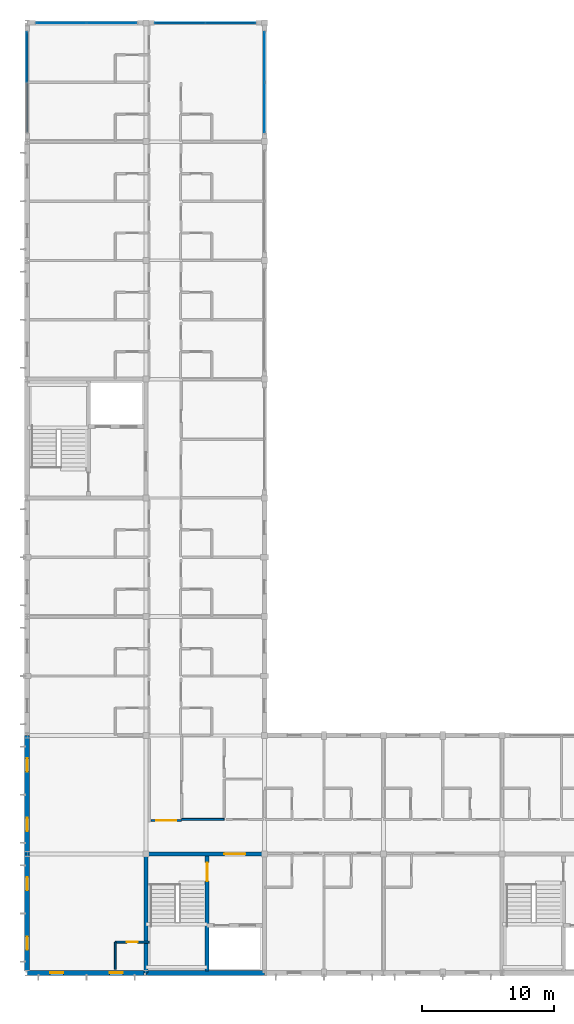
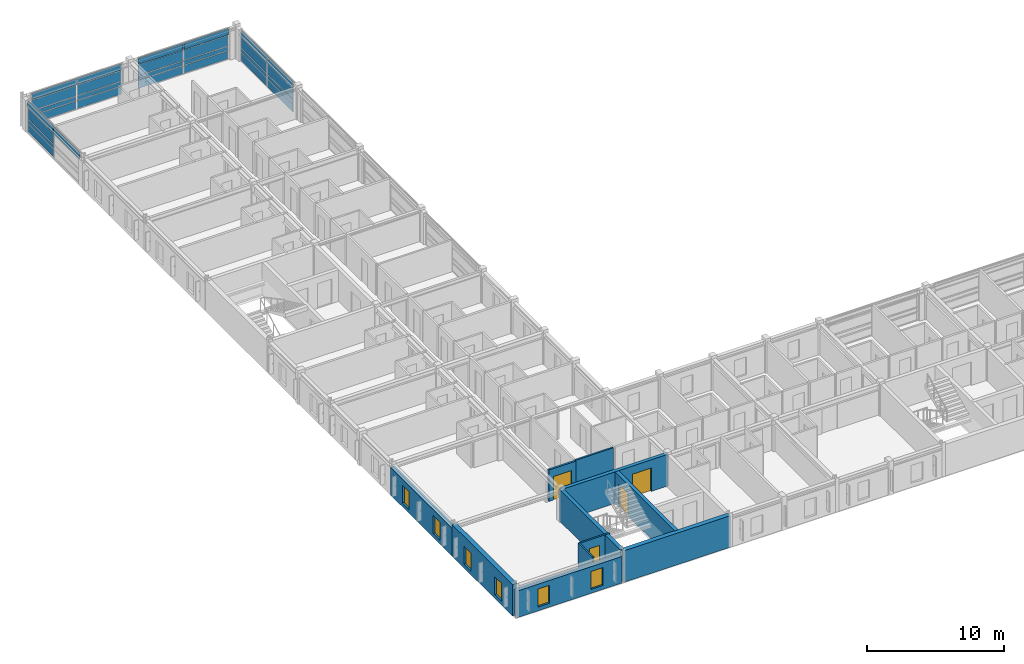
# One storey, part 9 of 24: 29 plates, 11 walls, 6 windows, 4 doors, 10 openings, 4 elements without a shape of their own.
"""IFC4 building model written with IfcOpenShell, lengths in metres."""

from ifc_helpers import new_model, si_unit, direction, frame, frame_2d, origin, origin_2d, place, context, subcontext, project, spatial, rectangle, extrude, material, layer, layer_set, type_object, element, fill, aggregate, save


model = new_model("IFC4")

# Units and contexts
model_context = context("Model", 3, precision=1e-05, world=origin(), true_north=direction((0.0, 1.0)))
body_context = subcontext(model_context, "Body", "Model", "MODEL_VIEW")
ifc_project = project(units=[si_unit("LENGTHUNIT", "METRE"), si_unit("AREAUNIT", "SQUARE_METRE"), si_unit("VOLUMEUNIT", "CUBIC_METRE"), si_unit("PLANEANGLEUNIT", "RADIAN"), si_unit("MASSUNIT", "GRAM", prefix="KILO")], contexts=[model_context])

# Site, building, storey
site_placement = place(None, origin())
site = spatial("IfcSite", under=ifc_project, at=site_placement, CompositionType="ELEMENT")
building_placement = place(site_placement, origin())
building = spatial("IfcBuilding", under=site, at=building_placement, Name="Palais des Congres Ocreval", CompositionType="ELEMENT")
storey_placement = place(building_placement, frame((0.0, 0.0, 17.60009765625)))
storey = spatial("IfcBuildingStorey", under=building, at=storey_placement, Name="L05", CompositionType="ELEMENT", Elevation=17.60009765625)

# Curtain wall, plates
ifc_material_1 = material(Name="Anodized bronze aluminium and low-E glass", Category="glass")
curtain_wall_type = type_object("IfcCurtainWallType", Name="Unitised Curtain Wall 7900x2820", PredefinedType="USERDEFINED", material=ifc_material_1)
curtain_wall_1_placement = place(storey_placement, origin())
curtain_wall_1 = element("IfcCurtainWall", 1, at=curtain_wall_1_placement, inside=storey, type_object=curtain_wall_type, Name="Unitised Curtain Wall CW04 L05", ObjectType="UNITISED CURTAIN WALL", PredefinedType="USERDEFINED")
ifc_material_2 = material(Name="Acoustic triple glazing", Category="glass")
ifc_layer_1 = layer(ifc_material_2, 0.0439453125)
ifc_layer_set_1 = layer_set([ifc_layer_1], Name="Acoustic Laminated Glazing Panel 44 (Acoustic triple glazing)")
plate_type_1 = type_object("IfcPlateType", Name="Acoustic Laminated Glazing Panel 44", PredefinedType="CURTAIN_PANEL", material=ifc_layer_set_1)
plate_1_placement = place(storey_placement, frame((11.59130859375, 72.0, 0.059814453125), z_axis=(0.0, 0.0, 1.0), x_axis=(1.0, 0.0, 0.0)))
plate_1 = element("IfcPlate", 2, at=plate_1_placement, type_object=plate_type_1, Name="Vision Glazing Panel VP02", PredefinedType="CURTAIN_PANEL", context=body_context, shape_type="SweptSolid", body=[
    extrude(rectangle(XDim=3.75244140625, YDim=0.0439453125, at=origin_2d()), origin(), (0.0, 0.0, 1.0), 0.68994140625),
])
plate_2_placement = place(storey_placement, frame((11.59130859375, 72.0, 0.81005859375), z_axis=(0.0, 0.0, 1.0), x_axis=(1.0, 0.0, 0.0)))
plate_2 = element("IfcPlate", 3, at=plate_2_placement, type_object=plate_type_1, Name="Vision Glazing Panel VP02", PredefinedType="CURTAIN_PANEL", context=body_context, shape_type="SweptSolid", body=[
    extrude(rectangle(XDim=3.75244140625, YDim=0.0439453125, at=origin_2d()), origin(), (0.0, 0.0, 1.0), 0.353515625),
])
plate_3_placement = place(storey_placement, frame((11.59130859375, 72.0, 1.223388671875), z_axis=(0.0, 0.0, 1.0), x_axis=(1.0, 0.0, 0.0)))
plate_3 = element("IfcPlate", 4, at=plate_3_placement, type_object=plate_type_1, Name="Vision Glazing Panel VP02", PredefinedType="CURTAIN_PANEL", context=body_context, shape_type="SweptSolid", body=[
    extrude(rectangle(XDim=3.75244140625, YDim=0.0439453125, at=origin_2d()), origin(), (0.0, 0.0, 1.0), 0.91650390625),
])
plate_4_placement = place(storey_placement, frame((15.40869140625, 72.0, 0.059814453125), z_axis=(0.0, 0.0, 1.0), x_axis=(1.0, 0.0, 0.0)))
plate_4 = element("IfcPlate", 5, at=plate_4_placement, type_object=plate_type_1, Name="Vision Glazing Panel VP02", PredefinedType="CURTAIN_PANEL", context=body_context, shape_type="SweptSolid", body=[
    extrude(rectangle(XDim=3.75244140625, YDim=0.0439453125, at=origin_2d()), origin(), (0.0, 0.0, 1.0), 0.68994140625),
])
plate_5_placement = place(storey_placement, frame((15.40869140625, 72.0, 0.81005859375), z_axis=(0.0, 0.0, 1.0), x_axis=(1.0, 0.0, 0.0)))
plate_5 = element("IfcPlate", 6, at=plate_5_placement, type_object=plate_type_1, Name="Vision Glazing Panel VP02", PredefinedType="CURTAIN_PANEL", context=body_context, shape_type="SweptSolid", body=[
    extrude(rectangle(XDim=3.75244140625, YDim=0.0439453125, at=origin_2d()), origin(), (0.0, 0.0, 1.0), 0.353515625),
])
plate_6_placement = place(storey_placement, frame((15.40869140625, 72.0, 1.223388671875), z_axis=(0.0, 0.0, 1.0), x_axis=(1.0, 0.0, 0.0)))
plate_6 = element("IfcPlate", 7, at=plate_6_placement, type_object=plate_type_1, Name="Vision Glazing Panel VP02", PredefinedType="CURTAIN_PANEL", context=body_context, shape_type="SweptSolid", body=[
    extrude(rectangle(XDim=3.75244140625, YDim=0.0439453125, at=origin_2d()), origin(), (0.0, 0.0, 1.0), 0.91650390625),
])

curtain_wall_2_placement = place(storey_placement, origin())
curtain_wall_2 = element("IfcCurtainWall", 8, at=curtain_wall_2_placement, inside=storey, type_object=curtain_wall_type, Name="Unitised Curtain Wall CW04 L05", ObjectType="UNITISED CURTAIN WALL", PredefinedType="USERDEFINED")
ifc_material_3 = material(Name="Anodized bronze aluminium", Category="aluminium")
ifc_layer_2 = layer(ifc_material_3, 0.06005859375)
ifc_layer_set_2 = layer_set([ifc_layer_2], Name="Anodized Bronze Spandrel Cassette 60 (Anodized bronze aluminium)")
plate_type_2 = type_object("IfcPlateType", Name="Anodized Bronze Spandrel Cassette 60", PredefinedType="SHEET", material=ifc_layer_set_2)
plate_7_placement = place(storey_placement, frame((2.592529296875, 72.0, 2.199951171875), z_axis=(0.0, 0.0, 1.0), x_axis=(1.0, 0.0, 0.0)))
plate_7 = element("IfcPlate", 9, at=plate_7_placement, type_object=plate_type_2, Name="Spandrel Sheet SPN1", PredefinedType="SHEET", context=body_context, shape_type="SweptSolid", body=[
    extrude(rectangle(XDim=3.7451171875, YDim=0.06005859375, at=origin_2d()), origin(), (0.0, 0.0, 1.0), 0.56005859375),
])
plate_8_placement = place(storey_placement, frame((6.407470703125, 72.0, 2.199951171875), z_axis=(0.0, 0.0, 1.0), x_axis=(1.0, 0.0, 0.0)))
plate_8 = element("IfcPlate", 10, at=plate_8_placement, type_object=plate_type_2, Name="Spandrel Sheet SPN1", PredefinedType="SHEET", context=body_context, shape_type="SweptSolid", body=[
    extrude(rectangle(XDim=3.7451171875, YDim=0.06005859375, at=origin_2d()), origin(), (0.0, 0.0, 1.0), 0.56005859375),
])

curtain_wall_3_placement = place(storey_placement, origin())
curtain_wall_3 = element("IfcCurtainWall", 11, at=curtain_wall_3_placement, inside=storey, type_object=curtain_wall_type, Name="Unitised Curtain Wall CW04 L05", ObjectType="UNITISED CURTAIN WALL", PredefinedType="USERDEFINED")
plate_9_placement = place(storey_placement, frame((18.0, 69.407470703125, 2.199951171875), z_axis=(0.0, 0.0, 1.0), x_axis=(0.0, -1.0, 0.0)))
plate_9 = element("IfcPlate", 12, at=plate_9_placement, type_object=plate_type_2, Name="Spandrel Sheet SPN1", PredefinedType="SHEET", context=body_context, shape_type="SweptSolid", body=[
    extrude(rectangle(XDim=3.7451171875, YDim=0.06005859375, at=origin_2d()), origin(), (0.0, 0.0, 1.0), 0.56005859375),
])
plate_10_placement = place(storey_placement, frame((18.0, 65.592529296875, 2.199951171875), z_axis=(0.0, 0.0, 1.0), x_axis=(0.0, -1.0, 0.0)))
plate_10 = element("IfcPlate", 13, at=plate_10_placement, type_object=plate_type_2, Name="Spandrel Sheet SPN1", PredefinedType="SHEET", context=body_context, shape_type="SweptSolid", body=[
    extrude(rectangle(XDim=3.7451171875, YDim=0.06005859375, at=origin_2d()), origin(), (0.0, 0.0, 1.0), 0.56005859375),
])

curtain_wall_4_placement = place(storey_placement, origin())
curtain_wall_4 = element("IfcCurtainWall", 14, at=curtain_wall_4_placement, inside=storey, type_object=curtain_wall_type, Name="Unitised Curtain Wall CW04 L05", ObjectType="UNITISED CURTAIN WALL", PredefinedType="USERDEFINED")
ifc_material_4 = material(Name="Low-E solar-control double glazing", Category="glass")
ifc_layer_3 = layer(ifc_material_4, 0.031982421875)
ifc_layer_set_3 = layer_set([ifc_layer_3], Name="Galleria Clear Vision Panel 32 (Low-E solar-control double glazing)")
plate_type_3 = type_object("IfcPlateType", Name="Galleria Clear Vision Panel 32", PredefinedType="CURTAIN_PANEL", material=ifc_layer_set_3)
plate_11_placement = place(storey_placement, frame((0.0, 69.40869140625, 0.059814453125), z_axis=(0.0, 0.0, 1.0), x_axis=(0.0, 1.0, 0.0)))
plate_11 = element("IfcPlate", 15, at=plate_11_placement, type_object=plate_type_3, Name="Vision Glazing Panel VP03", PredefinedType="CURTAIN_PANEL", context=body_context, shape_type="SweptSolid", body=[
    extrude(rectangle(XDim=3.75244140625, YDim=0.031982421875, at=origin_2d()), origin(), (0.0, 0.0, 1.0), 0.68994140625),
])
plate_12_placement = place(storey_placement, frame((0.0, 69.40869140625, 0.81005859375), z_axis=(0.0, 0.0, 1.0), x_axis=(0.0, 1.0, 0.0)))
plate_12 = element("IfcPlate", 16, at=plate_12_placement, type_object=plate_type_3, Name="Vision Glazing Panel VP03", PredefinedType="CURTAIN_PANEL", context=body_context, shape_type="SweptSolid", body=[
    extrude(rectangle(XDim=3.75244140625, YDim=0.031982421875, at=origin_2d()), origin(), (0.0, 0.0, 1.0), 0.353515625),
])
plate_13_placement = place(storey_placement, frame((0.0, 69.40869140625, 1.223388671875), z_axis=(0.0, 0.0, 1.0), x_axis=(0.0, 1.0, 0.0)))
plate_13 = element("IfcPlate", 17, at=plate_13_placement, type_object=plate_type_3, Name="Vision Glazing Panel VP03", PredefinedType="CURTAIN_PANEL", context=body_context, shape_type="SweptSolid", body=[
    extrude(rectangle(XDim=3.75244140625, YDim=0.031982421875, at=origin_2d()), origin(), (0.0, 0.0, 1.0), 0.91650390625),
])

# Plate
plate_14_placement = place(storey_placement, frame((18.0, 69.407470703125, 0.059814453125), z_axis=(0.0, 0.0, 1.0), x_axis=(0.0, -1.0, 0.0)))
plate_14 = element("IfcPlate", 18, at=plate_14_placement, type_object=plate_type_3, Name="Vision Glazing Panel VP03", PredefinedType="CURTAIN_PANEL", context=body_context, shape_type="SweptSolid", body=[
    extrude(rectangle(XDim=3.7451171875, YDim=0.031982421875, at=origin_2d()), origin(), (0.0, 0.0, 1.0), 0.68994140625),
])

plate_15_placement = place(storey_placement, frame((18.0, 69.407470703125, 0.81005859375), z_axis=(0.0, 0.0, 1.0), x_axis=(0.0, -1.0, 0.0)))
plate_15 = element("IfcPlate", 19, at=plate_15_placement, type_object=plate_type_3, Name="Vision Glazing Panel VP03", PredefinedType="CURTAIN_PANEL", context=body_context, shape_type="SweptSolid", body=[
    extrude(rectangle(XDim=3.7451171875, YDim=0.031982421875, at=origin_2d()), origin(), (0.0, 0.0, 1.0), 0.353515625),
])

plate_16_placement = place(storey_placement, frame((18.0, 69.407470703125, 1.223388671875), z_axis=(0.0, 0.0, 1.0), x_axis=(0.0, -1.0, 0.0)))
plate_16 = element("IfcPlate", 20, at=plate_16_placement, type_object=plate_type_3, Name="Vision Glazing Panel VP03", PredefinedType="CURTAIN_PANEL", context=body_context, shape_type="SweptSolid", body=[
    extrude(rectangle(XDim=3.7451171875, YDim=0.031982421875, at=origin_2d()), origin(), (0.0, 0.0, 1.0), 0.91650390625),
])

plate_17_placement = place(storey_placement, frame((18.0, 65.592529296875, 0.059814453125), z_axis=(0.0, 0.0, 1.0), x_axis=(0.0, -1.0, 0.0)))
plate_17 = element("IfcPlate", 21, at=plate_17_placement, type_object=plate_type_3, Name="Vision Glazing Panel VP03", PredefinedType="CURTAIN_PANEL", context=body_context, shape_type="SweptSolid", body=[
    extrude(rectangle(XDim=3.7451171875, YDim=0.031982421875, at=origin_2d()), origin(), (0.0, 0.0, 1.0), 0.68994140625),
])

plate_18_placement = place(storey_placement, frame((18.0, 65.592529296875, 0.81005859375), z_axis=(0.0, 0.0, 1.0), x_axis=(0.0, -1.0, 0.0)))
plate_18 = element("IfcPlate", 22, at=plate_18_placement, type_object=plate_type_3, Name="Vision Glazing Panel VP03", PredefinedType="CURTAIN_PANEL", context=body_context, shape_type="SweptSolid", body=[
    extrude(rectangle(XDim=3.7451171875, YDim=0.031982421875, at=origin_2d()), origin(), (0.0, 0.0, 1.0), 0.353515625),
])

plate_19_placement = place(storey_placement, frame((18.0, 65.592529296875, 1.223388671875), z_axis=(0.0, 0.0, 1.0), x_axis=(0.0, -1.0, 0.0)))
plate_19 = element("IfcPlate", 23, at=plate_19_placement, type_object=plate_type_3, Name="Vision Glazing Panel VP03", PredefinedType="CURTAIN_PANEL", context=body_context, shape_type="SweptSolid", body=[
    extrude(rectangle(XDim=3.7451171875, YDim=0.031982421875, at=origin_2d()), origin(), (0.0, 0.0, 1.0), 0.91650390625),
])

aggregate(curtain_wall_3, [plate_14, plate_15, plate_16, plate_9, plate_17, plate_18, plate_19, plate_10])

ifc_layer_4 = layer(ifc_material_4, 0.035888671875)
ifc_layer_set_4 = layer_set([ifc_layer_4], Name="Low-E Vision Glazing Panel 36 (Low-E solar-control double glazing)")
plate_type_4 = type_object("IfcPlateType", Name="Low-E Vision Glazing Panel 36", PredefinedType="CURTAIN_PANEL", material=ifc_layer_set_4)
plate_20_placement = place(storey_placement, frame((2.592529296875, 72.0, 0.059814453125), z_axis=(0.0, 0.0, 1.0), x_axis=(1.0, 0.0, 0.0)))
plate_20 = element("IfcPlate", 24, at=plate_20_placement, type_object=plate_type_4, Name="Vision Glazing Panel VP01", PredefinedType="CURTAIN_PANEL", context=body_context, shape_type="SweptSolid", body=[
    extrude(rectangle(XDim=3.7451171875, YDim=0.035888671875, at=origin_2d()), origin(), (0.0, 0.0, 1.0), 0.68994140625),
])

plate_21_placement = place(storey_placement, frame((2.592529296875, 72.0, 0.81005859375), z_axis=(0.0, 0.0, 1.0), x_axis=(1.0, 0.0, 0.0)))
plate_21 = element("IfcPlate", 25, at=plate_21_placement, type_object=plate_type_4, Name="Vision Glazing Panel VP01", PredefinedType="CURTAIN_PANEL", context=body_context, shape_type="SweptSolid", body=[
    extrude(rectangle(XDim=3.7451171875, YDim=0.035888671875, at=origin_2d()), origin(), (0.0, 0.0, 1.0), 0.353515625),
])

plate_22_placement = place(storey_placement, frame((2.592529296875, 72.0, 1.223388671875), z_axis=(0.0, 0.0, 1.0), x_axis=(1.0, 0.0, 0.0)))
plate_22 = element("IfcPlate", 26, at=plate_22_placement, type_object=plate_type_4, Name="Vision Glazing Panel VP01", PredefinedType="CURTAIN_PANEL", context=body_context, shape_type="SweptSolid", body=[
    extrude(rectangle(XDim=3.7451171875, YDim=0.035888671875, at=origin_2d()), origin(), (0.0, 0.0, 1.0), 0.91650390625),
])

plate_23_placement = place(storey_placement, frame((6.407470703125, 72.0, 0.059814453125), z_axis=(0.0, 0.0, 1.0), x_axis=(1.0, 0.0, 0.0)))
plate_23 = element("IfcPlate", 27, at=plate_23_placement, type_object=plate_type_4, Name="Vision Glazing Panel VP01", PredefinedType="CURTAIN_PANEL", context=body_context, shape_type="SweptSolid", body=[
    extrude(rectangle(XDim=3.7451171875, YDim=0.035888671875, at=origin_2d()), origin(), (0.0, 0.0, 1.0), 0.68994140625),
])

plate_24_placement = place(storey_placement, frame((6.407470703125, 72.0, 0.81005859375), z_axis=(0.0, 0.0, 1.0), x_axis=(1.0, 0.0, 0.0)))
plate_24 = element("IfcPlate", 28, at=plate_24_placement, type_object=plate_type_4, Name="Vision Glazing Panel VP01", PredefinedType="CURTAIN_PANEL", context=body_context, shape_type="SweptSolid", body=[
    extrude(rectangle(XDim=3.7451171875, YDim=0.035888671875, at=origin_2d()), origin(), (0.0, 0.0, 1.0), 0.353515625),
])

plate_25_placement = place(storey_placement, frame((6.407470703125, 72.0, 1.223388671875), z_axis=(0.0, 0.0, 1.0), x_axis=(1.0, 0.0, 0.0)))
plate_25 = element("IfcPlate", 29, at=plate_25_placement, type_object=plate_type_4, Name="Vision Glazing Panel VP01", PredefinedType="CURTAIN_PANEL", context=body_context, shape_type="SweptSolid", body=[
    extrude(rectangle(XDim=3.7451171875, YDim=0.035888671875, at=origin_2d()), origin(), (0.0, 0.0, 1.0), 0.91650390625),
])

aggregate(curtain_wall_2, [plate_20, plate_21, plate_22, plate_7, plate_23, plate_24, plate_25, plate_8])

ifc_material_5 = material(Name="Terracotta ceramic spandrel", Category="masonry")
ifc_layer_5 = layer(ifc_material_5, 0.080078125)
ifc_layer_set_5 = layer_set([ifc_layer_5], Name="Terracotta Insulated Spandrel Sheet 80 (Terracotta ceramic spandrel)")
plate_type_5 = type_object("IfcPlateType", Name="Terracotta Insulated Spandrel Sheet 80", PredefinedType="SHEET", material=ifc_layer_set_5)
plate_26_placement = place(storey_placement, frame((0.0, 65.59130859375, 2.199951171875), z_axis=(0.0, 0.0, 1.0), x_axis=(0.0, 1.0, 0.0)))
plate_26 = element("IfcPlate", 30, at=plate_26_placement, type_object=plate_type_5, Name="Spandrel Sheet SPN2", PredefinedType="SHEET", context=body_context, shape_type="SweptSolid", body=[
    extrude(rectangle(XDim=3.75244140625, YDim=0.080078125, at=origin_2d()), origin(), (0.0, 0.0, 1.0), 0.56005859375),
])

plate_27_placement = place(storey_placement, frame((0.0, 69.40869140625, 2.199951171875), z_axis=(0.0, 0.0, 1.0), x_axis=(0.0, 1.0, 0.0)))
plate_27 = element("IfcPlate", 31, at=plate_27_placement, type_object=plate_type_5, Name="Spandrel Sheet SPN2", PredefinedType="SHEET", context=body_context, shape_type="SweptSolid", body=[
    extrude(rectangle(XDim=3.75244140625, YDim=0.080078125, at=origin_2d()), origin(), (0.0, 0.0, 1.0), 0.56005859375),
])

aggregate(curtain_wall_4, [plate_26, plate_11, plate_12, plate_13, plate_27])

plate_28_placement = place(storey_placement, frame((11.59130859375, 72.0, 2.199951171875), z_axis=(0.0, 0.0, 1.0), x_axis=(1.0, 0.0, 0.0)))
plate_28 = element("IfcPlate", 32, at=plate_28_placement, type_object=plate_type_5, Name="Spandrel Sheet SPN2", PredefinedType="SHEET", context=body_context, shape_type="SweptSolid", body=[
    extrude(rectangle(XDim=3.75244140625, YDim=0.080078125, at=origin_2d()), origin(), (0.0, 0.0, 1.0), 0.56005859375),
])

plate_29_placement = place(storey_placement, frame((15.40869140625, 72.0, 2.199951171875), z_axis=(0.0, 0.0, 1.0), x_axis=(1.0, 0.0, 0.0)))
plate_29 = element("IfcPlate", 33, at=plate_29_placement, type_object=plate_type_5, Name="Spandrel Sheet SPN2", PredefinedType="SHEET", context=body_context, shape_type="SweptSolid", body=[
    extrude(rectangle(XDim=3.75244140625, YDim=0.080078125, at=origin_2d()), origin(), (0.0, 0.0, 1.0), 0.56005859375),
])

aggregate(curtain_wall_1, [plate_1, plate_2, plate_3, plate_28, plate_4, plate_5, plate_6, plate_29])

# Wall, opening, door
ifc_material_6 = material(Name="Moisture-resistant gypsum board")
ifc_layer_6 = layer(ifc_material_6, 0.139892578125)
ifc_layer_set_6 = layer_set([ifc_layer_6], Name="Bathroom Plumbing Chase Wall 140 Gypsum (Moisture-resistant gypsum board)")
wall_type_1 = type_object("IfcWallType", Name="Bathroom Plumbing Chase Wall 140 Gypsum", PredefinedType="PLUMBINGWALL", material=ifc_layer_set_6)
wall_1_placement = place(storey_placement, frame((6.679931640625, 2.330078125, 0.0), z_axis=(0.0, 0.0, 1.0), x_axis=(1.0, 0.0, 0.0)))
wall_1 = element("IfcWall", 34, at=wall_1_placement, inside=storey, type_object=wall_type_1, Name="Bathroom Plumbing Wall PW03 L05", PredefinedType="PLUMBINGWALL", context=body_context, shape_type="SweptSolid", body=[
    extrude(rectangle(XDim=2.56005859375, YDim=0.139892578125, at=frame_2d((1.280029296875, 0.0))), origin(), (0.0, 0.0, 1.0), 2.81982421875),
])
opening_1_placement = place(wall_1_placement, frame((0.85498046875, 0.0, 0.0)))
opening_1 = element("IfcOpeningElement", 35, at=opening_1_placement, cuts=wall_1, Name="Opening D08", PredefinedType="OPENING", context=body_context, shape_type="SweptSolid", body=[
    extrude(rectangle(XDim=0.85009765625, YDim=2.0400390625, at=frame_2d((0.425048828125, 1.02001953125))), frame((0.0, 0.079833984375, 0.0), z_axis=(0.0, -1.0, 0.0), x_axis=(1.0, 0.0, 0.0)), (0.0, 0.0, 1.0), 0.159912109375),
])
ifc_material_7 = material(Name="Solid French oak", Category="wood")
door_type_1 = type_object("IfcDoorType", Name="En-Suite Bathroom Door 850x2040", OperationType="NOTDEFINED", PredefinedType="DOOR", material=ifc_material_7)
door_1_placement = place(opening_1_placement, origin())
door_1 = element("IfcDoor", 36, at=door_1_placement, inside=storey, type_object=door_type_1, Name="En-Suite Bathroom Door D08 L05", OperationType="SINGLE_SWING_LEFT", OverallHeight=2.0400390625, OverallWidth=0.85009765625, PredefinedType="DOOR", context=body_context, shape_type="SweptSolid", body=[
    extrude(rectangle(XDim=0.85009765625, YDim=2.0400390625, at=frame_2d((0.425048828125, 1.02001953125))), frame((0.0, 0.02490234375, 0.0), z_axis=(0.0, -1.0, 0.0), x_axis=(1.0, 0.0, 0.0)), (0.0, 0.0, 1.0), 0.050048828125),
])
fill(opening_1, door_1)

# Walls
wall_2_placement = place(storey_placement, frame((6.679931640625, 0.27001953125, 0.0), z_axis=(0.0, 0.0, 1.0), x_axis=(0.0, 1.0, 0.0)))
element("IfcWall", 37, at=wall_2_placement, inside=storey, type_object=wall_type_1, Name="Bathroom Plumbing Wall PW03 L05", PredefinedType="PLUMBINGWALL", context=body_context, shape_type="SweptSolid", body=[
    extrude(rectangle(XDim=2.06005859375, YDim=0.139892578125, at=frame_2d((1.030029296875, 0.0))), origin(), (0.0, 0.0, 1.0), 2.81982421875),
])
wall_3_placement = place(storey_placement, frame((11.719970703125, 11.635009765625, 0.0), z_axis=(0.0, 0.0, 1.0), x_axis=(1.0, 0.0, 0.0)))
element("IfcWall", 38, at=wall_3_placement, inside=storey, type_object=wall_type_1, Name="Interior Partition PW03 L05", PredefinedType="PLUMBINGWALL", context=body_context, shape_type="SweptSolid", body=[
    extrude(rectangle(XDim=3.2099609375, YDim=0.139892578125, at=frame_2d((1.60498046875, 0.0))), origin(), (0.0, 0.0, 1.0), 2.81982421875),
])

# Wall, opening, door
ifc_material_8 = material(Name="Concrete C40/50", Category="concrete")
ifc_layer_7 = layer(ifc_material_8, 0.300048828125)
ifc_layer_set_7 = layer_set([ifc_layer_7], Name="Core Shear Wall 300 Concrete C40/50")
wall_type_2 = type_object("IfcWallType", Name="Core Shear Wall 300 Concrete C40/50", PredefinedType="SHEAR", material=ifc_layer_set_7)
wall_4_placement = place(storey_placement, frame((9.0, 9.0, 0.0), z_axis=(0.0, 0.0, 1.0), x_axis=(1.0, 0.0, 0.0)))
wall_4 = element("IfcWall", 39, at=wall_4_placement, inside=storey, type_object=wall_type_2, Name="Core Shear Wall SC01 L05 N", PredefinedType="SHEAR", context=body_context, shape_type="SweptSolid", body=[
    extrude(rectangle(XDim=9.0, YDim=0.300048828125, at=frame_2d((4.5, 0.0))), origin(), (0.0, 0.0, 1.0), 2.81982421875),
])
opening_2_placement = place(wall_4_placement, frame((5.949951171875, 0.0, 0.0)))
opening_2 = element("IfcOpeningElement", 40, at=opening_2_placement, cuts=wall_4, Name="Opening D02", PredefinedType="OPENING", context=body_context, shape_type="SweptSolid", body=[
    extrude(rectangle(XDim=1.60009765625, YDim=2.10009765625, at=frame_2d((0.800048828125, 1.050048828125))), frame((0.0, 0.159912109375, 0.0), z_axis=(0.0, -1.0, 0.0), x_axis=(1.0, 0.0, 0.0)), (0.0, 0.0, 1.0), 0.320068359375),
])
ifc_material_9 = material(Name="Painted fire-rated steel", Category="steel")
door_type_2 = type_object("IfcDoorType", Name="Firefighting Lobby Rated Door 1600x2100", OperationType="NOTDEFINED", PredefinedType="DOOR", material=ifc_material_9)
door_2_placement = place(opening_2_placement, origin())
door_2 = element("IfcDoor", 41, at=door_2_placement, inside=storey, type_object=door_type_2, Name="Firefighting Lobby Entrance Door SC01 L05", OperationType="DOUBLE_DOOR_SINGLE_SWING", OverallHeight=2.10009765625, OverallWidth=1.60009765625, PredefinedType="DOOR", context=body_context, shape_type="SweptSolid", body=[
    extrude(rectangle(XDim=1.60009765625, YDim=2.10009765625, at=frame_2d((0.800048828125, 1.050048828125))), frame((0.0, 0.02490234375, 0.0), z_axis=(0.0, -1.0, 0.0), x_axis=(1.0, 0.0, 0.0)), (0.0, 0.0, 1.0), 0.050048828125),
])
fill(opening_2, door_2)

# Wall
wall_5_placement = place(storey_placement, frame((9.0, 0.0, 0.0), z_axis=(0.0, 0.0, 1.0), x_axis=(0.0, 1.0, 0.0)))
element("IfcWall", 42, at=wall_5_placement, inside=storey, type_object=wall_type_2, Name="Core Shear Wall SC01 L05 W", PredefinedType="SHEAR", context=body_context, shape_type="SweptSolid", body=[
    extrude(rectangle(XDim=9.0, YDim=0.300048828125, at=frame_2d((4.5, 0.0))), origin(), (0.0, 0.0, 1.0), 2.81982421875),
])

# Wall, opening, door
wall_6_placement = place(storey_placement, frame((13.64990234375, 0.14990234375, 0.0), z_axis=(0.0, 0.0, 1.0), x_axis=(0.0, 1.0, 0.0)))
wall_6 = element("IfcWall", 43, at=wall_6_placement, inside=storey, type_object=wall_type_2, Name="Core Spine Shear Wall SC01 L05", PredefinedType="SHEAR", context=body_context, shape_type="SweptSolid", body=[
    extrude(rectangle(XDim=8.7001953125, YDim=0.300048828125, at=frame_2d((4.35009765625, 0.0))), origin(), (0.0, 0.0, 1.0), 2.81982421875),
])
opening_3_placement = place(wall_6_placement, frame((6.800048828125, 0.0, 0.0)))
opening_3 = element("IfcOpeningElement", 44, at=opening_3_placement, cuts=wall_6, Name="Opening D03", PredefinedType="OPENING", context=body_context, shape_type="SweptSolid", body=[
    extrude(rectangle(XDim=1.39990234375, YDim=2.02001953125, at=frame_2d((0.699951171875, 1.010009765625))), frame((0.0, 0.159912109375, 0.0), z_axis=(0.0, -1.0, 0.0), x_axis=(1.0, 0.0, 0.0)), (0.0, 0.0, 1.0), 0.320068359375),
])
door_type_3 = type_object("IfcDoorType", Name="Core Lobby Rated Door 1400x2020", OperationType="NOTDEFINED", PredefinedType="DOOR", material=ifc_material_9)
door_3_placement = place(opening_3_placement, origin())
door_3 = element("IfcDoor", 45, at=door_3_placement, inside=storey, type_object=door_type_3, Name="Protected Exit Stair Door ST01 L05", OperationType="SINGLE_SWING_LEFT", OverallHeight=2.02001953125, OverallWidth=1.39990234375, PredefinedType="DOOR", context=body_context, shape_type="SweptSolid", body=[
    extrude(rectangle(XDim=1.39990234375, YDim=2.02001953125, at=frame_2d((0.699951171875, 1.010009765625))), frame((0.0, 0.02490234375, 0.0), z_axis=(0.0, -1.0, 0.0), x_axis=(1.0, 0.0, 0.0)), (0.0, 0.0, 1.0), 0.050048828125),
])
fill(opening_3, door_3)

ifc_material_10 = material(Name="Gypsum acoustic partition")
ifc_layer_8 = layer(ifc_material_10, 0.159912109375)
ifc_layer_set_8 = layer_set([ifc_layer_8], Name="Corridor Fire Partition 160 Gypsum (Gypsum acoustic partition)")
wall_type_3 = type_object("IfcWallType", Name="Corridor Fire Partition 160 Gypsum", PredefinedType="PARTITIONING", material=ifc_layer_set_8)
wall_7_placement = place(storey_placement, frame((9.405029296875, 11.550048828125, 0.0), z_axis=(0.0, 0.0, 1.0), x_axis=(1.0, 0.0, 0.0)))
wall_7 = element("IfcWall", 46, at=wall_7_placement, inside=storey, type_object=wall_type_3, Name="Interior Partition IW03 L05", PredefinedType="PARTITIONING", context=body_context, shape_type="SweptSolid", body=[
    extrude(rectangle(XDim=2.294921875, YDim=0.159912109375, at=frame_2d((1.1474609375, 0.0))), origin(), (0.0, 0.0, 1.0), 2.81982421875),
])
opening_4_placement = place(wall_7_placement, frame((0.3974609375, 0.0, 0.0)))
opening_4 = element("IfcOpeningElement", 47, at=opening_4_placement, cuts=wall_7, Name="Opening D04", PredefinedType="OPENING", context=body_context, shape_type="SweptSolid", body=[
    extrude(rectangle(XDim=1.5, YDim=2.10009765625, at=frame_2d((0.75, 1.050048828125))), frame((0.0, 0.08984375, 0.0), z_axis=(0.0, -1.0, 0.0), x_axis=(1.0, 0.0, 0.0)), (0.0, 0.0, 1.0), 0.179931640625),
])
ifc_material_11 = material(Name="Solid French oak fire door", Category="wood")
door_type_4 = type_object("IfcDoorType", Name="Corridor Compartment Double Door 1500x2100", OperationType="NOTDEFINED", PredefinedType="DOOR", material=ifc_material_11)
door_4_placement = place(opening_4_placement, origin())
door_4 = element("IfcDoor", 48, at=door_4_placement, inside=storey, type_object=door_type_4, Name="Interior Door D04 L05", OperationType="DOUBLE_DOOR_SINGLE_SWING", OverallHeight=2.10009765625, OverallWidth=1.5, PredefinedType="DOOR", context=body_context, shape_type="SweptSolid", body=[
    extrude(rectangle(XDim=1.5, YDim=2.10009765625, at=frame_2d((0.75, 1.050048828125))), frame((0.0, 0.02490234375, 0.0), z_axis=(0.0, -1.0, 0.0), x_axis=(1.0, 0.0, 0.0)), (0.0, 0.0, 1.0), 0.050048828125),
])
fill(opening_4, door_4)

# Wall
ifc_layer_9 = layer(ifc_material_8, 0.3798828125)
ifc_layer_set_9 = layer_set([ifc_layer_9], Name="Lutetian Limestone Street Wall 380 Concrete C40/50")
wall_type_4 = type_object("IfcWallType", Name="Lutetian Limestone Street Wall 380 Concrete C40/50", PredefinedType="SOLIDWALL", material=ifc_layer_set_9)
wall_8_placement = place(storey_placement, frame((18.0, 0.0, 0.0), z_axis=(0.0, 0.0, 1.0), x_axis=(-1.0, 0.0, 0.0)))
element("IfcWall", 49, at=wall_8_placement, inside=storey, type_object=wall_type_4, Name="Core Perimeter Shear Wall EW03 SC01 L05", PredefinedType="SOLIDWALL", context=body_context, shape_type="SweptSolid", body=[
    extrude(rectangle(XDim=9.0, YDim=0.3798828125, at=frame_2d((4.5, 0.0))), origin(), (0.0, 0.0, 1.0), 2.81982421875),
])

# Wall, openings, windows
wall_9_placement = place(storey_placement, frame((8.8701171875, 0.0, 0.0), z_axis=(0.0, 0.0, 1.0), x_axis=(-1.0, 0.0, 0.0)))
wall_9 = element("IfcWall", 50, at=wall_9_placement, inside=storey, type_object=wall_type_4, Name="Exterior Wall EW03 L05", PredefinedType="SOLIDWALL", context=body_context, shape_type="SweptSolid", body=[
    extrude(rectangle(XDim=8.8701171875, YDim=0.3798828125, at=frame_2d((4.43505859375, 0.0))), origin(), (0.0, 0.0, 1.0), 2.3798828125),
])
opening_5_placement = place(wall_9_placement, frame((1.6201171875, 0.0, 0.35009765625)))
opening_5 = element("IfcOpeningElement", 51, at=opening_5_placement, cuts=wall_9, Name="Opening WN18", PredefinedType="OPENING", context=body_context, shape_type="SweptSolid", body=[
    extrude(rectangle(XDim=1.0, YDim=1.60009765625, at=frame_2d((0.5, 0.800048828125))), frame((0.0, 0.199951171875, 0.0), z_axis=(0.0, -1.0, 0.0), x_axis=(1.0, 0.0, 0.0)), (0.0, 0.0, 1.0), 0.39990234375),
])
opening_6_placement = place(wall_9_placement, frame((6.1201171875, 0.0, 0.35009765625)))
opening_6 = element("IfcOpeningElement", 52, at=opening_6_placement, cuts=wall_9, Name="Opening WN18", PredefinedType="OPENING", context=body_context, shape_type="SweptSolid", body=[
    extrude(rectangle(XDim=1.0, YDim=1.60009765625, at=frame_2d((0.5, 0.800048828125))), frame((0.0, 0.199951171875, 0.0), z_axis=(0.0, -1.0, 0.0), x_axis=(1.0, 0.0, 0.0)), (0.0, 0.0, 1.0), 0.39990234375),
])
window_type = type_object("IfcWindowType", Name="Stair and Lobby Daylight Window 1000x1600", PartitioningType="SINGLE_PANEL", PredefinedType="WINDOW", material=ifc_material_1)
window_1_placement = place(opening_5_placement, origin())
window_1 = element("IfcWindow", 53, at=window_1_placement, inside=storey, type_object=window_type, Name="Hotel Facade Window WN18", OverallHeight=1.60009765625, OverallWidth=1.0, PartitioningType="SINGLE_PANEL", PredefinedType="WINDOW", context=body_context, shape_type="SweptSolid", body=[
    extrude(rectangle(XDim=1.0, YDim=1.60009765625, at=frame_2d((0.5, 0.800048828125))), frame((0.0, 0.030029296875, 0.0), z_axis=(0.0, -1.0, 0.0), x_axis=(1.0, 0.0, 0.0)), (0.0, 0.0, 1.0), 0.06005859375),
])
fill(opening_5, window_1)
window_2_placement = place(opening_6_placement, origin())
window_2 = element("IfcWindow", 54, at=window_2_placement, inside=storey, type_object=window_type, Name="Hotel Facade Window WN18", OverallHeight=1.60009765625, OverallWidth=1.0, PartitioningType="SINGLE_PANEL", PredefinedType="WINDOW", context=body_context, shape_type="SweptSolid", body=[
    extrude(rectangle(XDim=1.0, YDim=1.60009765625, at=frame_2d((0.5, 0.800048828125))), frame((0.0, 0.030029296875, 0.0), z_axis=(0.0, -1.0, 0.0), x_axis=(1.0, 0.0, 0.0)), (0.0, 0.0, 1.0), 0.06005859375),
])
fill(opening_6, window_2)

wall_10_placement = place(storey_placement, frame((0.0, 0.155029296875, 0.0), z_axis=(0.0, 0.0, 1.0), x_axis=(0.0, 1.0, 0.0)))
wall_10 = element("IfcWall", 55, at=wall_10_placement, inside=storey, type_object=wall_type_4, Name="Exterior Wall EW03 L05", PredefinedType="SOLIDWALL", context=body_context, shape_type="SweptSolid", body=[
    extrude(rectangle(XDim=8.844970703125, YDim=0.3798828125, at=frame_2d((4.42236328125, 0.0))), origin(), (0.0, 0.0, 1.0), 2.81982421875),
])
opening_7_placement = place(wall_10_placement, frame((1.594970703125, 0.0, 0.35009765625)))
opening_7 = element("IfcOpeningElement", 56, at=opening_7_placement, cuts=wall_10, Name="Opening WN18", PredefinedType="OPENING", context=body_context, shape_type="SweptSolid", body=[
    extrude(rectangle(XDim=1.0, YDim=1.60009765625, at=frame_2d((0.5, 0.800048828125))), frame((0.0, 0.199951171875, 0.0), z_axis=(0.0, -1.0, 0.0), x_axis=(1.0, 0.0, 0.0)), (0.0, 0.0, 1.0), 0.39990234375),
])
opening_8_placement = place(wall_10_placement, frame((6.094970703125, 0.0, 0.35009765625)))
opening_8 = element("IfcOpeningElement", 57, at=opening_8_placement, cuts=wall_10, Name="Opening WN18", PredefinedType="OPENING", context=body_context, shape_type="SweptSolid", body=[
    extrude(rectangle(XDim=1.0, YDim=1.60009765625, at=frame_2d((0.5, 0.800048828125))), frame((0.0, 0.199951171875, 0.0), z_axis=(0.0, -1.0, 0.0), x_axis=(1.0, 0.0, 0.0)), (0.0, 0.0, 1.0), 0.39990234375),
])
window_3_placement = place(opening_7_placement, origin())
window_3 = element("IfcWindow", 58, at=window_3_placement, inside=storey, type_object=window_type, Name="Hotel Facade Window WN18", OverallHeight=1.60009765625, OverallWidth=1.0, PartitioningType="SINGLE_PANEL", PredefinedType="WINDOW", context=body_context, shape_type="SweptSolid", body=[
    extrude(rectangle(XDim=1.0, YDim=1.60009765625, at=frame_2d((0.5, 0.800048828125))), frame((0.0, 0.030029296875, 0.0), z_axis=(0.0, -1.0, 0.0), x_axis=(1.0, 0.0, 0.0)), (0.0, 0.0, 1.0), 0.06005859375),
])
fill(opening_7, window_3)
window_4_placement = place(opening_8_placement, origin())
window_4 = element("IfcWindow", 59, at=window_4_placement, inside=storey, type_object=window_type, Name="Hotel Facade Window WN18", OverallHeight=1.60009765625, OverallWidth=1.0, PartitioningType="SINGLE_PANEL", PredefinedType="WINDOW", context=body_context, shape_type="SweptSolid", body=[
    extrude(rectangle(XDim=1.0, YDim=1.60009765625, at=frame_2d((0.5, 0.800048828125))), frame((0.0, 0.030029296875, 0.0), z_axis=(0.0, -1.0, 0.0), x_axis=(1.0, 0.0, 0.0)), (0.0, 0.0, 1.0), 0.06005859375),
])
fill(opening_8, window_4)

wall_11_placement = place(storey_placement, frame((0.0, 9.0, 0.0), z_axis=(0.0, 0.0, 1.0), x_axis=(0.0, 1.0, 0.0)))
wall_11 = element("IfcWall", 60, at=wall_11_placement, inside=storey, type_object=wall_type_4, Name="Exterior Wall EW03 L05", PredefinedType="SOLIDWALL", context=body_context, shape_type="SweptSolid", body=[
    extrude(rectangle(XDim=9.0, YDim=0.3798828125, at=frame_2d((4.5, 0.0))), origin(), (0.0, 0.0, 1.0), 2.47998046875),
])
opening_9_placement = place(wall_11_placement, frame((1.75, 0.0, 0.35009765625)))
opening_9 = element("IfcOpeningElement", 61, at=opening_9_placement, cuts=wall_11, Name="Opening WN18", PredefinedType="OPENING", context=body_context, shape_type="SweptSolid", body=[
    extrude(rectangle(XDim=1.0, YDim=1.60009765625, at=frame_2d((0.5, 0.800048828125))), frame((0.0, 0.199951171875, 0.0), z_axis=(0.0, -1.0, 0.0), x_axis=(1.0, 0.0, 0.0)), (0.0, 0.0, 1.0), 0.39990234375),
])
opening_10_placement = place(wall_11_placement, frame((6.25, 0.0, 0.35009765625)))
opening_10 = element("IfcOpeningElement", 62, at=opening_10_placement, cuts=wall_11, Name="Opening WN18", PredefinedType="OPENING", context=body_context, shape_type="SweptSolid", body=[
    extrude(rectangle(XDim=1.0, YDim=1.60009765625, at=frame_2d((0.5, 0.800048828125))), frame((0.0, 0.199951171875, 0.0), z_axis=(0.0, -1.0, 0.0), x_axis=(1.0, 0.0, 0.0)), (0.0, 0.0, 1.0), 0.39990234375),
])
window_5_placement = place(opening_9_placement, origin())
window_5 = element("IfcWindow", 63, at=window_5_placement, inside=storey, type_object=window_type, Name="Hotel Facade Window WN18", OverallHeight=1.60009765625, OverallWidth=1.0, PartitioningType="SINGLE_PANEL", PredefinedType="WINDOW", context=body_context, shape_type="SweptSolid", body=[
    extrude(rectangle(XDim=1.0, YDim=1.60009765625, at=frame_2d((0.5, 0.800048828125))), frame((0.0, 0.030029296875, 0.0), z_axis=(0.0, -1.0, 0.0), x_axis=(1.0, 0.0, 0.0)), (0.0, 0.0, 1.0), 0.06005859375),
])
fill(opening_9, window_5)
window_6_placement = place(opening_10_placement, origin())
window_6 = element("IfcWindow", 64, at=window_6_placement, inside=storey, type_object=window_type, Name="Hotel Facade Window WN18", OverallHeight=1.60009765625, OverallWidth=1.0, PartitioningType="SINGLE_PANEL", PredefinedType="WINDOW", context=body_context, shape_type="SweptSolid", body=[
    extrude(rectangle(XDim=1.0, YDim=1.60009765625, at=frame_2d((0.5, 0.800048828125))), frame((0.0, 0.030029296875, 0.0), z_axis=(0.0, -1.0, 0.0), x_axis=(1.0, 0.0, 0.0)), (0.0, 0.0, 1.0), 0.06005859375),
])
fill(opening_10, window_6)

save(model, "model.ifc")
